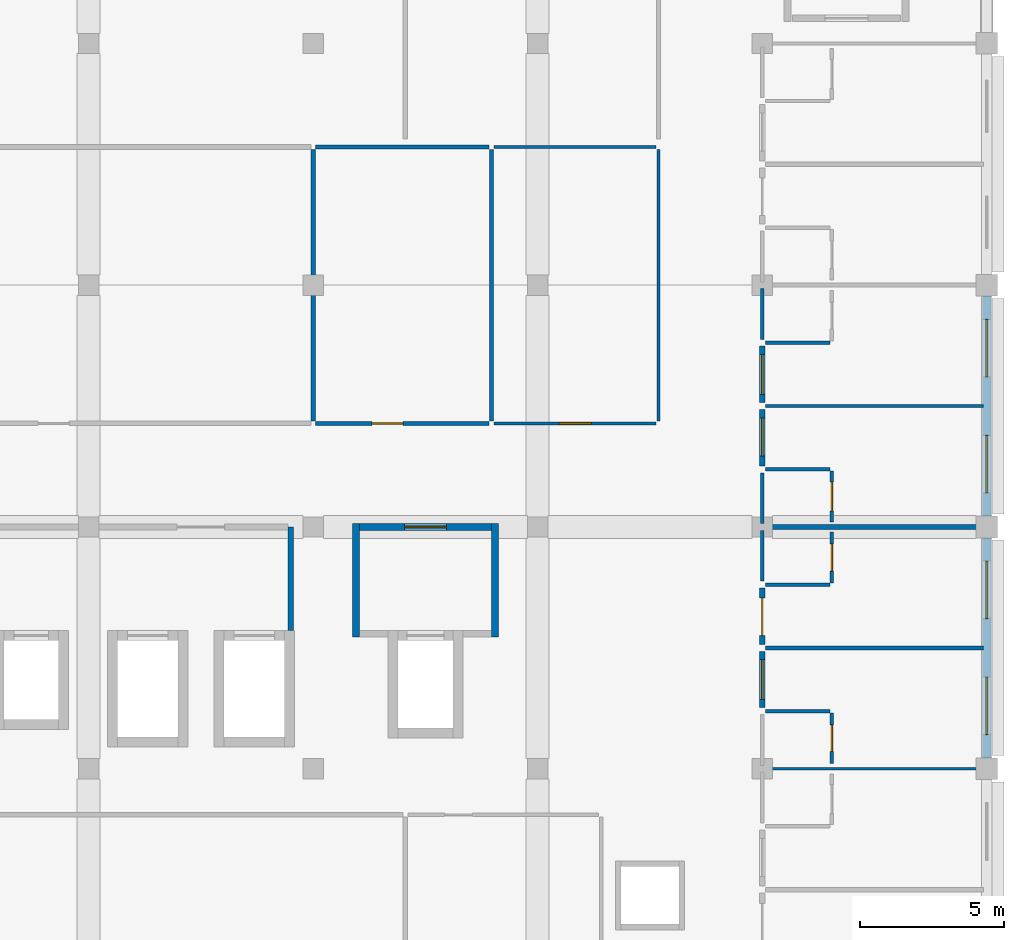
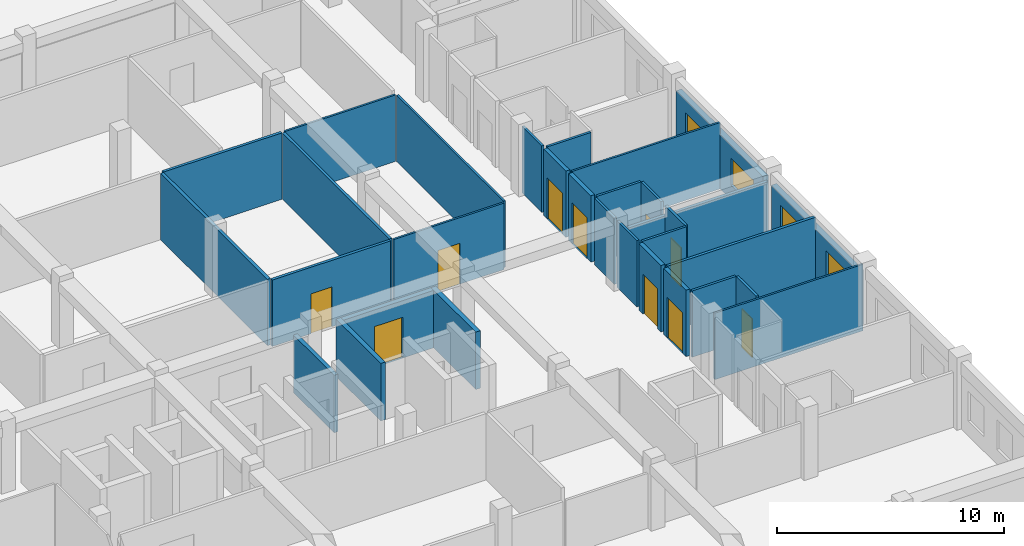
# One storey, part 55 of 72: 31 walls, 10 doors, 4 windows, 14 openings.
"""IFC4 building model written with IfcOpenShell, lengths in metres."""

from ifc_helpers import new_model, si_unit, direction, frame, frame_2d, origin, place, context, subcontext, project, spatial, rectangle, extrude, material, layer, layer_set, type_object, element, fill, save


model = new_model("IFC4")

# Units and contexts
model_context = context("Model", 3, precision=1e-05, world=origin(), true_north=direction((0.0, 1.0)))
body_context = subcontext(model_context, "Body", "Model", "MODEL_VIEW")
ifc_project = project(units=[si_unit("LENGTHUNIT", "METRE"), si_unit("AREAUNIT", "SQUARE_METRE"), si_unit("VOLUMEUNIT", "CUBIC_METRE"), si_unit("PLANEANGLEUNIT", "RADIAN"), si_unit("MASSUNIT", "GRAM", prefix="KILO"), si_unit("THERMODYNAMICTEMPERATUREUNIT", "KELVIN"), si_unit("POWERUNIT", "WATT")], contexts=[model_context])

# Site, building, storey
site_placement = place(None, origin())
site = spatial("IfcSite", under=ifc_project, at=site_placement, CompositionType="ELEMENT")
building_placement = place(site_placement, origin())
building = spatial("IfcBuilding", under=site, at=building_placement, Name="Srebrne Nadtorze General Hospital", CompositionType="ELEMENT")
storey_placement = place(building_placement, frame((0.0, 0.0, 22.199951171875)))
storey = spatial("IfcBuildingStorey", under=building, at=storey_placement, Name="L05", CompositionType="ELEMENT", Elevation=22.199951171875)

# Wall
ifc_material_1 = material(Name="Gypsum Healthcare Partition")
ifc_layer_1 = layer(ifc_material_1, 0.139892578125)
ifc_layer_set_1 = layer_set([ifc_layer_1], Name="Gypsum Healthcare Partition")
wall_type_1 = type_object("IfcWallType", Name="Clinical partition 140", PredefinedType="PARTITIONING", material=ifc_layer_set_1)
wall_1_placement = place(storey_placement, frame((140.52001953125, 46.199951171875, 0.0), z_axis=(0.0, 0.0, 1.0), x_axis=(1.0, 0.0, 0.0)))
element("IfcWall", 1, at=wall_1_placement, inside=storey, type_object=wall_type_1, Name="Ward inter-room partition WL-INT-L05-2065", PredefinedType="PARTITIONING", context=body_context, shape_type="SweptSolid", body=[
    extrude(rectangle(XDim=7.56005859375, YDim=0.139892578125, at=frame_2d((3.780029296875, 0.0))), origin(), (0.0, 0.0, 1.0), 3.580078125),
])

# Wall, opening, door
wall_2_placement = place(storey_placement, frame((124.885009765625, 54.0, 0.0), z_axis=(0.0, 0.0, 1.0), x_axis=(1.0, 0.0, 0.0)))
wall_2 = element("IfcWall", 2, at=wall_2_placement, inside=storey, type_object=wall_type_1, Name="Clean Utility wall WL-INT-L05-2131", PredefinedType="PARTITIONING", context=body_context, shape_type="SweptSolid", body=[
    extrude(rectangle(XDim=6.030029296875, YDim=0.139892578125, at=frame_2d((3.01513671875, 0.0))), origin(), (0.0, 0.0, 1.0), 3.580078125),
])
opening_1_placement = place(wall_2_placement, frame((1.96142578125, 0.0, 0.0)))
opening_1 = element("IfcOpeningElement", 3, at=opening_1_placement, cuts=wall_2, Name="Opening D-L05-0454", PredefinedType="OPENING", context=body_context, shape_type="SweptSolid", body=[
    extrude(rectangle(XDim=1.080078125, YDim=2.14990234375, at=frame_2d((0.5400390625, 1.074951171875))), frame((0.0, 0.08203125, 0.0), z_axis=(0.0, -1.0, 0.0), x_axis=(1.0, 0.0, 0.0)), (0.0, 0.0, 1.0), 0.163818359375),
])
ifc_material_2 = material(Name="Anodised Aluminium", Category="aluminium")
door_type_1 = type_object("IfcDoorType", Name="Single leaf door 1080x2150", OperationType="NOTDEFINED", PredefinedType="DOOR", material=ifc_material_2)
door_1_placement = place(opening_1_placement, origin())
door_1 = element("IfcDoor", 4, at=door_1_placement, inside=storey, type_object=door_type_1, Name="Clean Utility door D-L05-0454", OperationType="SINGLE_SWING_LEFT", OverallHeight=2.14990234375, OverallWidth=1.080078125, PredefinedType="DOOR", context=body_context, shape_type="SweptSolid", body=[
    extrude(rectangle(XDim=1.080078125, YDim=2.14990234375, at=frame_2d((0.5400390625, 1.074951171875))), frame((0.0, 0.02490234375, 0.0), z_axis=(0.0, -1.0, 0.0), x_axis=(1.0, 0.0, 0.0)), (0.0, 0.0, 1.0), 0.050048828125),
])
fill(opening_1, door_1)

# Walls
wall_3_placement = place(storey_placement, frame((124.885009765625, 63.60009765625, 0.0), z_axis=(0.0, 0.0, 1.0), x_axis=(1.0, 0.0, 0.0)))
element("IfcWall", 5, at=wall_3_placement, inside=storey, type_object=wall_type_1, Name="Clean Utility wall WL-INT-L05-2132", PredefinedType="PARTITIONING", context=body_context, shape_type="SweptSolid", body=[
    extrude(rectangle(XDim=6.030029296875, YDim=0.139892578125, at=frame_2d((3.01513671875, 0.0))), origin(), (0.0, 0.0, 1.0), 3.580078125),
])
wall_4_placement = place(storey_placement, frame((131.0, 54.0849609375, 0.0), z_axis=(0.0, 0.0, 1.0), x_axis=(0.0, 1.0, 0.0)))
element("IfcWall", 6, at=wall_4_placement, inside=storey, type_object=wall_type_1, Name="Clean Utility wall WL-INT-L05-2133", PredefinedType="PARTITIONING", context=body_context, shape_type="SweptSolid", body=[
    extrude(rectangle(XDim=9.429931640625, YDim=0.139892578125, at=frame_2d((4.71484375, 0.0))), origin(), (0.0, 0.0, 1.0), 3.580078125),
])
ifc_material_3 = material(Name="Gypsum Healthcare Partition")
ifc_layer_2 = layer(ifc_material_3, 0.159912109375)
ifc_layer_set_2 = layer_set([ifc_layer_2], Name="Gypsum Healthcare Partition")
wall_type_2 = type_object("IfcWallType", Name="Clinical partition 160", PredefinedType="PARTITIONING", material=ifc_layer_set_2)
wall_5_placement = place(storey_placement, frame((140.52001953125, 50.39990234375, 0.0), z_axis=(0.0, 0.0, 1.0), x_axis=(1.0, 0.0, 0.0)))
element("IfcWall", 7, at=wall_5_placement, inside=storey, type_object=wall_type_2, Name="Ward inter-room partition WL-INT-L05-2070", PredefinedType="PARTITIONING", context=body_context, shape_type="SweptSolid", body=[
    extrude(rectangle(XDim=7.56005859375, YDim=0.159912109375, at=frame_2d((3.780029296875, 0.0))), origin(), (0.0, 0.0, 1.0), 2.949951171875),
])
wall_6_placement = place(storey_placement, frame((124.800048828125, 54.0849609375, 0.0), z_axis=(0.0, 0.0, 1.0), x_axis=(0.0, 1.0, 0.0)))
element("IfcWall", 8, at=wall_6_placement, inside=storey, type_object=wall_type_2, Name="Nursing Station wall WL-INT-L05-2130", PredefinedType="PARTITIONING", context=body_context, shape_type="SweptSolid", body=[
    extrude(rectangle(XDim=9.429931640625, YDim=0.159912109375, at=frame_2d((4.71484375, 0.0))), origin(), (0.0, 0.0, 1.0), 3.580078125),
])
ifc_material_4 = material(Name="Gypsum Healthcare Partition")
ifc_layer_3 = layer(ifc_material_4, 0.199951171875)
ifc_layer_set_3 = layer_set([ifc_layer_3], Name="Gypsum Healthcare Partition")
wall_type_3 = type_object("IfcWallType", Name="Compartment wall 200", PredefinedType="STANDARD", material=ifc_layer_set_3)
wall_7_placement = place(storey_placement, frame((124.02001953125, 46.81005859375, 0.0), z_axis=(0.0, 0.0, 1.0), x_axis=(0.0, 1.0, 0.0)))
element("IfcWall", 9, at=wall_7_placement, inside=storey, type_object=wall_type_3, Name="Lift lobby side wall WL-INT-L05-1107", PredefinedType="STANDARD", context=body_context, shape_type="SweptSolid", body=[
    extrude(rectangle(XDim=3.58984375, YDim=0.199951171875, at=frame_2d((1.794921875, 0.0))), origin(), (0.0, 0.0, 1.0), 3.10009765625),
])

# Wall, opening, door
wall_8_placement = place(storey_placement, frame((140.39990234375, 44.1201171875, 0.0), z_axis=(0.0, 0.0, 1.0), x_axis=(0.0, 1.0, 0.0)))
wall_8 = element("IfcWall", 10, at=wall_8_placement, inside=storey, type_object=wall_type_3, Name="Ward corridor wall WL-INT-L05-2066", PredefinedType="STANDARD", context=body_context, shape_type="SweptSolid", body=[
    extrude(rectangle(XDim=1.9599609375, YDim=0.199951171875, at=frame_2d((0.97998046875, 0.0))), origin(), (0.0, 0.0, 1.0), 3.580078125),
])
opening_2_placement = place(wall_8_placement, frame((0.2900390625, 0.0, 0.0)))
opening_2 = element("IfcOpeningElement", 11, at=opening_2_placement, cuts=wall_8, Name="Opening D-L05-0430", PredefinedType="OPENING", context=body_context, shape_type="SweptSolid", body=[
    extrude(rectangle(XDim=1.3798828125, YDim=2.199951171875, at=frame_2d((0.68994140625, 1.10009765625))), frame((0.0, 0.11181640625, 0.0), z_axis=(0.0, -1.0, 0.0), x_axis=(1.0, 0.0, 0.0)), (0.0, 0.0, 1.0), 0.223876953125),
])
ifc_material_5 = material(Name="Anodised Aluminium", Category="aluminium")
door_type_2 = type_object("IfcDoorType", Name="Single leaf door 1380x2200", OperationType="NOTDEFINED", PredefinedType="DOOR", material=ifc_material_5)
door_2_placement = place(opening_2_placement, frame((1.3798828125, 0.0, 0.0), z_axis=(0.0, 0.0, 1.0), x_axis=(-1.0, 0.0, 0.0)))
door_2 = element("IfcDoor", 12, at=door_2_placement, inside=storey, type_object=door_type_2, Name="Ward patient room door D-L05-0430", OperationType="SINGLE_SWING_LEFT", OverallHeight=2.199951171875, OverallWidth=1.3798828125, PredefinedType="DOOR", context=body_context, shape_type="SweptSolid", body=[
    extrude(rectangle(XDim=1.3798828125, YDim=2.199951171875, at=frame_2d((0.68994140625, 1.10009765625))), frame((0.0, 0.02490234375, 0.0), z_axis=(0.0, -1.0, 0.0), x_axis=(1.0, 0.0, 0.0)), (0.0, 0.0, 1.0), 0.050048828125),
])
fill(opening_2, door_2)

wall_9_placement = place(storey_placement, frame((140.39990234375, 46.320068359375, 0.0), z_axis=(0.0, 0.0, 1.0), x_axis=(0.0, 1.0, 0.0)))
wall_9 = element("IfcWall", 13, at=wall_9_placement, inside=storey, type_object=wall_type_3, Name="Ward corridor wall WL-INT-L05-2071", PredefinedType="STANDARD", context=body_context, shape_type="SweptSolid", body=[
    extrude(rectangle(XDim=1.9599609375, YDim=0.199951171875, at=frame_2d((0.97998046875, 0.0))), origin(), (0.0, 0.0, 1.0), 3.580078125),
])
opening_3_placement = place(wall_9_placement, frame((0.304931640625, 0.0, 0.0)))
opening_3 = element("IfcOpeningElement", 14, at=opening_3_placement, cuts=wall_9, Name="Opening D-L05-0432", PredefinedType="OPENING", context=body_context, shape_type="SweptSolid", body=[
    extrude(rectangle(XDim=1.300048828125, YDim=2.14990234375, at=frame_2d((0.64990234375, 1.074951171875))), frame((0.0, 0.11181640625, 0.0), z_axis=(0.0, -1.0, 0.0), x_axis=(1.0, 0.0, 0.0)), (0.0, 0.0, 1.0), 0.223876953125),
])
ifc_material_6 = material(Name="Anodised Aluminium", Category="aluminium")
door_type_3 = type_object("IfcDoorType", Name="Single leaf door 1300x2150", OperationType="NOTDEFINED", PredefinedType="DOOR", material=ifc_material_6)
door_3_placement = place(opening_3_placement, frame((1.300048828125, 0.0, 0.0), z_axis=(0.0, 0.0, 1.0), x_axis=(-1.0, 0.0, 0.0)))
door_3 = element("IfcDoor", 15, at=door_3_placement, inside=storey, type_object=door_type_3, Name="Ward patient room door D-L05-0432", OperationType="SINGLE_SWING_RIGHT", OverallHeight=2.14990234375, OverallWidth=1.300048828125, PredefinedType="DOOR", context=body_context, shape_type="SweptSolid", body=[
    extrude(rectangle(XDim=1.300048828125, YDim=2.14990234375, at=frame_2d((0.64990234375, 1.074951171875))), frame((0.0, 0.02490234375, 0.0), z_axis=(0.0, -1.0, 0.0), x_axis=(1.0, 0.0, 0.0)), (0.0, 0.0, 1.0), 0.050048828125),
])
fill(opening_3, door_3)

wall_10_placement = place(storey_placement, frame((140.39990234375, 52.52001953125, 0.0), z_axis=(0.0, 0.0, 1.0), x_axis=(0.0, 1.0, 0.0)))
wall_10 = element("IfcWall", 16, at=wall_10_placement, inside=storey, type_object=wall_type_3, Name="Ward corridor wall WL-INT-L05-2076", PredefinedType="STANDARD", context=body_context, shape_type="SweptSolid", body=[
    extrude(rectangle(XDim=1.9599609375, YDim=0.199951171875, at=frame_2d((0.97998046875, 0.0))), origin(), (0.0, 0.0, 1.0), 3.580078125),
])
opening_4_placement = place(wall_10_placement, frame((0.340087890625, 0.0, 0.0)))
opening_4 = element("IfcOpeningElement", 17, at=opening_4_placement, cuts=wall_10, Name="Opening D-L05-0434", PredefinedType="OPENING", context=body_context, shape_type="SweptSolid", body=[
    extrude(rectangle(XDim=1.320068359375, YDim=2.199951171875, at=frame_2d((0.66015625, 1.10009765625))), frame((0.0, 0.11181640625, 0.0), z_axis=(0.0, -1.0, 0.0), x_axis=(1.0, 0.0, 0.0)), (0.0, 0.0, 1.0), 0.223876953125),
])
ifc_material_7 = material(Name="Anodised Aluminium", Category="aluminium")
door_type_4 = type_object("IfcDoorType", Name="Single leaf door 1320x2200", OperationType="NOTDEFINED", PredefinedType="DOOR", material=ifc_material_7)
door_4_placement = place(opening_4_placement, frame((1.320068359375, 0.0, 0.0), z_axis=(0.0, 0.0, 1.0), x_axis=(-1.0, 0.0, 0.0)))
door_4 = element("IfcDoor", 18, at=door_4_placement, inside=storey, type_object=door_type_4, Name="Ward patient room door D-L05-0434", OperationType="SINGLE_SWING_RIGHT", OverallHeight=2.199951171875, OverallWidth=1.320068359375, PredefinedType="DOOR", context=body_context, shape_type="SweptSolid", body=[
    extrude(rectangle(XDim=1.320068359375, YDim=2.199951171875, at=frame_2d((0.66015625, 1.10009765625))), frame((0.0, 0.02490234375, 0.0), z_axis=(0.0, -1.0, 0.0), x_axis=(1.0, 0.0, 0.0)), (0.0, 0.0, 1.0), 0.050048828125),
])
fill(opening_4, door_4)

wall_11_placement = place(storey_placement, frame((140.39990234375, 54.719970703125, 0.0), z_axis=(0.0, 0.0, 1.0), x_axis=(0.0, 1.0, 0.0)))
wall_11 = element("IfcWall", 19, at=wall_11_placement, inside=storey, type_object=wall_type_3, Name="Ward corridor wall WL-INT-L05-2081", PredefinedType="STANDARD", context=body_context, shape_type="SweptSolid", body=[
    extrude(rectangle(XDim=1.9599609375, YDim=0.199951171875, at=frame_2d((0.97998046875, 0.0))), origin(), (0.0, 0.0, 1.0), 3.580078125),
])
opening_5_placement = place(wall_11_placement, frame((0.2900390625, 0.0, 0.0)))
opening_5 = element("IfcOpeningElement", 20, at=opening_5_placement, cuts=wall_11, Name="Opening D-L05-0436", PredefinedType="OPENING", context=body_context, shape_type="SweptSolid", body=[
    extrude(rectangle(XDim=1.3798828125, YDim=2.199951171875, at=frame_2d((0.68994140625, 1.10009765625))), frame((0.0, 0.11181640625, 0.0), z_axis=(0.0, -1.0, 0.0), x_axis=(1.0, 0.0, 0.0)), (0.0, 0.0, 1.0), 0.223876953125),
])
door_5_placement = place(opening_5_placement, frame((1.3798828125, 0.0, 0.0), z_axis=(0.0, 0.0, 1.0), x_axis=(-1.0, 0.0, 0.0)))
door_5 = element("IfcDoor", 21, at=door_5_placement, inside=storey, type_object=door_type_2, Name="Ward patient room door D-L05-0436", OperationType="SINGLE_SWING_LEFT", OverallHeight=2.199951171875, OverallWidth=1.3798828125, PredefinedType="DOOR", context=body_context, shape_type="SweptSolid", body=[
    extrude(rectangle(XDim=1.3798828125, YDim=2.199951171875, at=frame_2d((0.68994140625, 1.10009765625))), frame((0.0, 0.02490234375, 0.0), z_axis=(0.0, -1.0, 0.0), x_axis=(1.0, 0.0, 0.0)), (0.0, 0.0, 1.0), 0.050048828125),
])
fill(opening_5, door_5)

# Walls
ifc_material_8 = material(Name="Gypsum Healthcare Partition")
ifc_layer_4 = layer(ifc_material_8, 0.239990234375)
ifc_layer_set_4 = layer_set([ifc_layer_4], Name="Gypsum Healthcare Partition")
wall_type_4 = type_object("IfcWallType", Name="Corridor fire wall 240", PredefinedType="STANDARD", material=ifc_layer_set_4)
for number, where, z_axis, x_axis, name in (
    (22, (126.280029296875, 46.570068359375, 0.0), (0.0, 0.0, 1.0), (0.0, 1.0, 0.0), "FF lift lobby wall WL-INT-L05-1101"),
    (23, (131.1201171875, 46.570068359375, 0.0), (0.0, 0.0, 1.0), (0.0, 1.0, 0.0), "FF lift lobby wall WL-INT-L05-1102"),
):
    element("IfcWall", number, at=place(storey_placement, frame(where, z_axis=z_axis, x_axis=x_axis)), inside=storey, type_object=wall_type_4, Name=name, PredefinedType="STANDARD", context=body_context, shape_type="SweptSolid", body=[
        extrude(rectangle(XDim=3.949951171875, YDim=0.239990234375, at=frame_2d((1.97509765625, 0.0))), origin(), (0.0, 0.0, 1.0), 3.10009765625),
    ])

# Wall, opening, door
wall_12_placement = place(storey_placement, frame((126.39990234375, 50.39990234375, 0.0), z_axis=(0.0, 0.0, 1.0), x_axis=(1.0, 0.0, 0.0)))
wall_12 = element("IfcWall", 24, at=wall_12_placement, inside=storey, type_object=wall_type_4, Name="FF lift lobby front wall WL-INT-L05-1105", PredefinedType="STANDARD", context=body_context, shape_type="SweptSolid", body=[
    extrude(rectangle(XDim=4.60009765625, YDim=0.239990234375, at=frame_2d((2.300048828125, 0.0))), origin(), (0.0, 0.0, 1.0), 3.10009765625),
])
opening_6_placement = place(wall_12_placement, frame((1.574951171875, 0.0, 0.0)))
opening_6 = element("IfcOpeningElement", 25, at=opening_6_placement, cuts=wall_12, Name="Opening D-L05-0150", PredefinedType="OPENING", context=body_context, shape_type="SweptSolid", body=[
    extrude(rectangle(XDim=1.449951171875, YDim=2.199951171875, at=frame_2d((0.72509765625, 1.10009765625))), frame((0.0, 0.1318359375, 0.0), z_axis=(0.0, -1.0, 0.0), x_axis=(1.0, 0.0, 0.0)), (0.0, 0.0, 1.0), 0.263916015625),
])
ifc_material_9 = material(Name="Anodised Aluminium", Category="aluminium")
door_type_5 = type_object("IfcDoorType", Name="Double leaf door 1450x2200", OperationType="DOUBLE_DOOR_SINGLE_SWING", PredefinedType="DOOR", material=ifc_material_9)
door_6_placement = place(opening_6_placement, origin())
door_6 = element("IfcDoor", 26, at=door_6_placement, inside=storey, type_object=door_type_5, Name="Firefighting lift lobby door D-L05-0150", OperationType="DOUBLE_DOOR_SINGLE_SWING", OverallHeight=2.199951171875, OverallWidth=1.449951171875, PredefinedType="DOOR", context=body_context, shape_type="SweptSolid", body=[
    extrude(rectangle(XDim=1.449951171875, YDim=2.199951171875, at=frame_2d((0.72509765625, 1.10009765625))), frame((0.0, 0.02490234375, 0.0), z_axis=(0.0, -1.0, 0.0), x_axis=(1.0, 0.0, 0.0)), (0.0, 0.0, 1.0), 0.050048828125),
])
fill(opening_6, door_6)

# Wall
ifc_material_10 = material(Name="Gypsum Healthcare Partition")
ifc_layer_5 = layer(ifc_material_10, 0.1201171875)
ifc_layer_set_5 = layer_set([ifc_layer_5], Name="Gypsum Healthcare Partition")
wall_type_5 = type_object("IfcWallType", Name="En-suite partition 120", PredefinedType="PARTITIONING", material=ifc_layer_set_5)
wall_13_placement = place(storey_placement, frame((140.52001953125, 44.0, 0.0), z_axis=(0.0, 0.0, 1.0), x_axis=(1.0, 0.0, 0.0)))
element("IfcWall", 27, at=wall_13_placement, inside=storey, type_object=wall_type_5, Name="En-suite wet wall WL-INT-L05-2068", PredefinedType="PARTITIONING", context=body_context, shape_type="SweptSolid", body=[
    extrude(rectangle(XDim=2.239990234375, YDim=0.1201171875, at=frame_2d((1.1201171875, 0.0))), origin(), (0.0, 0.0, 1.0), 3.580078125),
])

# Wall, opening, door
wall_14_placement = place(storey_placement, frame((142.820068359375, 42.179931640625, 0.0), z_axis=(0.0, 0.0, 1.0), x_axis=(0.0, 1.0, 0.0)))
wall_14 = element("IfcWall", 28, at=wall_14_placement, inside=storey, type_object=wall_type_5, Name="En-suite wet wall WL-INT-L05-2069", PredefinedType="PARTITIONING", context=body_context, shape_type="SweptSolid", body=[
    extrude(rectangle(XDim=1.760009765625, YDim=0.1201171875, at=frame_2d((0.8798828125, 0.0))), origin(), (0.0, 0.0, 1.0), 3.580078125),
])
opening_7_placement = place(wall_14_placement, frame((0.419921875, 0.0, 0.0)))
opening_7 = element("IfcOpeningElement", 29, at=opening_7_placement, cuts=wall_14, Name="Opening D-L05-0431", PredefinedType="OPENING", context=body_context, shape_type="SweptSolid", body=[
    extrude(rectangle(XDim=0.919921875, YDim=2.080078125, at=frame_2d((0.4599609375, 1.0400390625))), frame((0.0, 0.072021484375, 0.0), z_axis=(0.0, -1.0, 0.0), x_axis=(1.0, 0.0, 0.0)), (0.0, 0.0, 1.0), 0.14404296875),
])
ifc_material_11 = material(Name="Anodised Aluminium", Category="aluminium")
door_type_6 = type_object("IfcDoorType", Name="Single leaf door 920x2080", OperationType="NOTDEFINED", PredefinedType="DOOR", material=ifc_material_11)
door_7_placement = place(opening_7_placement, origin())
door_7 = element("IfcDoor", 30, at=door_7_placement, inside=storey, type_object=door_type_6, Name="En-suite bathroom door D-L05-0431", OperationType="SINGLE_SWING_LEFT", OverallHeight=2.080078125, OverallWidth=0.919921875, PredefinedType="DOOR", context=body_context, shape_type="SweptSolid", body=[
    extrude(rectangle(XDim=0.919921875, YDim=2.080078125, at=frame_2d((0.4599609375, 1.0400390625))), frame((0.0, 0.02490234375, 0.0), z_axis=(0.0, -1.0, 0.0), x_axis=(1.0, 0.0, 0.0)), (0.0, 0.0, 1.0), 0.050048828125),
])
fill(opening_7, door_7)

# Walls
wall_15_placement = place(storey_placement, frame((140.39990234375, 48.52001953125, 0.0), z_axis=(0.0, 0.0, 1.0), x_axis=(0.0, 1.0, 0.0)))
element("IfcWall", 31, at=wall_15_placement, inside=storey, type_object=wall_type_5, Name="En-suite corridor wall WL-INT-L05-2072", PredefinedType="PARTITIONING", context=body_context, shape_type="SweptSolid", body=[
    extrude(rectangle(XDim=1.760009765625, YDim=0.1201171875, at=frame_2d((0.8798828125, 0.0))), origin(), (0.0, 0.0, 1.0), 3.580078125),
])
wall_16_placement = place(storey_placement, frame((140.52001953125, 48.39990234375, 0.0), z_axis=(0.0, 0.0, 1.0), x_axis=(1.0, 0.0, 0.0)))
element("IfcWall", 32, at=wall_16_placement, inside=storey, type_object=wall_type_5, Name="En-suite wet wall WL-INT-L05-2073", PredefinedType="PARTITIONING", context=body_context, shape_type="SweptSolid", body=[
    extrude(rectangle(XDim=2.239990234375, YDim=0.1201171875, at=frame_2d((1.1201171875, 0.0))), origin(), (0.0, 0.0, 1.0), 3.580078125),
])

# Wall, opening, door
wall_17_placement = place(storey_placement, frame((142.820068359375, 48.4599609375, 0.0), z_axis=(0.0, 0.0, 1.0), x_axis=(0.0, 1.0, 0.0)))
wall_17 = element("IfcWall", 33, at=wall_17_placement, inside=storey, type_object=wall_type_5, Name="En-suite wet wall WL-INT-L05-2074", PredefinedType="PARTITIONING", context=body_context, shape_type="SweptSolid", body=[
    extrude(rectangle(XDim=1.760009765625, YDim=0.1201171875, at=frame_2d((0.8798828125, 0.0))), origin(), (0.0, 0.0, 1.0), 3.580078125),
])
opening_8_placement = place(wall_17_placement, frame((0.405029296875, 0.0, 0.0)))
opening_8 = element("IfcOpeningElement", 34, at=opening_8_placement, cuts=wall_17, Name="Opening D-L05-0433", PredefinedType="OPENING", context=body_context, shape_type="SweptSolid", body=[
    extrude(rectangle(XDim=0.949951171875, YDim=2.10009765625, at=frame_2d((0.47509765625, 1.050048828125))), frame((0.0, 0.072021484375, 0.0), z_axis=(0.0, -1.0, 0.0), x_axis=(1.0, 0.0, 0.0)), (0.0, 0.0, 1.0), 0.14404296875),
])
ifc_material_12 = material(Name="Anodised Aluminium", Category="aluminium")
door_type_7 = type_object("IfcDoorType", Name="Single leaf door 950x2100", OperationType="NOTDEFINED", PredefinedType="DOOR", material=ifc_material_12)
door_8_placement = place(opening_8_placement, origin())
door_8 = element("IfcDoor", 35, at=door_8_placement, inside=storey, type_object=door_type_7, Name="En-suite bathroom door D-L05-0433", OperationType="SINGLE_SWING_LEFT", OverallHeight=2.10009765625, OverallWidth=0.949951171875, PredefinedType="DOOR", context=body_context, shape_type="SweptSolid", body=[
    extrude(rectangle(XDim=0.949951171875, YDim=2.10009765625, at=frame_2d((0.47509765625, 1.050048828125))), frame((0.0, 0.02490234375, 0.0), z_axis=(0.0, -1.0, 0.0), x_axis=(1.0, 0.0, 0.0)), (0.0, 0.0, 1.0), 0.050048828125),
])
fill(opening_8, door_8)

# Walls
wall_18_placement = place(storey_placement, frame((140.39990234375, 50.52001953125, 0.0), z_axis=(0.0, 0.0, 1.0), x_axis=(0.0, 1.0, 0.0)))
element("IfcWall", 36, at=wall_18_placement, inside=storey, type_object=wall_type_5, Name="En-suite corridor wall WL-INT-L05-2077", PredefinedType="PARTITIONING", context=body_context, shape_type="SweptSolid", body=[
    extrude(rectangle(XDim=1.760009765625, YDim=0.1201171875, at=frame_2d((0.8798828125, 0.0))), origin(), (0.0, 0.0, 1.0), 3.580078125),
])
wall_19_placement = place(storey_placement, frame((140.52001953125, 52.39990234375, 0.0), z_axis=(0.0, 0.0, 1.0), x_axis=(1.0, 0.0, 0.0)))
element("IfcWall", 37, at=wall_19_placement, inside=storey, type_object=wall_type_5, Name="En-suite wet wall WL-INT-L05-2078", PredefinedType="PARTITIONING", context=body_context, shape_type="SweptSolid", body=[
    extrude(rectangle(XDim=2.239990234375, YDim=0.1201171875, at=frame_2d((1.1201171875, 0.0))), origin(), (0.0, 0.0, 1.0), 3.580078125),
])

# Wall, opening, door
wall_20_placement = place(storey_placement, frame((142.820068359375, 50.580078125, 0.0), z_axis=(0.0, 0.0, 1.0), x_axis=(0.0, 1.0, 0.0)))
wall_20 = element("IfcWall", 38, at=wall_20_placement, inside=storey, type_object=wall_type_5, Name="En-suite wet wall WL-INT-L05-2079", PredefinedType="PARTITIONING", context=body_context, shape_type="SweptSolid", body=[
    extrude(rectangle(XDim=1.760009765625, YDim=0.1201171875, at=frame_2d((0.8798828125, 0.0))), origin(), (0.0, 0.0, 1.0), 3.580078125),
])
opening_9_placement = place(wall_20_placement, frame((0.3798828125, 0.0, 0.0)))
opening_9 = element("IfcOpeningElement", 39, at=opening_9_placement, cuts=wall_20, Name="Opening D-L05-0435", PredefinedType="OPENING", context=body_context, shape_type="SweptSolid", body=[
    extrude(rectangle(XDim=1.0, YDim=2.10009765625, at=frame_2d((0.5, 1.050048828125))), frame((0.0, 0.072021484375, 0.0), z_axis=(0.0, -1.0, 0.0), x_axis=(1.0, 0.0, 0.0)), (0.0, 0.0, 1.0), 0.14404296875),
])
ifc_material_13 = material(Name="Anodised Aluminium", Category="aluminium")
door_type_8 = type_object("IfcDoorType", Name="Single leaf door 1000x2100", OperationType="NOTDEFINED", PredefinedType="DOOR", material=ifc_material_13)
door_9_placement = place(opening_9_placement, origin())
door_9 = element("IfcDoor", 40, at=door_9_placement, inside=storey, type_object=door_type_8, Name="En-suite bathroom door D-L05-0435", OperationType="SINGLE_SWING_LEFT", OverallHeight=2.10009765625, OverallWidth=1.0, PredefinedType="DOOR", context=body_context, shape_type="SweptSolid", body=[
    extrude(rectangle(XDim=1.0, YDim=2.10009765625, at=frame_2d((0.5, 1.050048828125))), frame((0.0, 0.02490234375, 0.0), z_axis=(0.0, -1.0, 0.0), x_axis=(1.0, 0.0, 0.0)), (0.0, 0.0, 1.0), 0.050048828125),
])
fill(opening_9, door_9)

# Walls
wall_21_placement = place(storey_placement, frame((140.39990234375, 56.919921875, 0.0), z_axis=(0.0, 0.0, 1.0), x_axis=(0.0, 1.0, 0.0)))
element("IfcWall", 41, at=wall_21_placement, inside=storey, type_object=wall_type_5, Name="En-suite corridor wall WL-INT-L05-2082", PredefinedType="PARTITIONING", context=body_context, shape_type="SweptSolid", body=[
    extrude(rectangle(XDim=1.760009765625, YDim=0.1201171875, at=frame_2d((0.8798828125, 0.0))), origin(), (0.0, 0.0, 1.0), 3.580078125),
])
wall_22_placement = place(storey_placement, frame((140.52001953125, 56.800048828125, 0.0), z_axis=(0.0, 0.0, 1.0), x_axis=(1.0, 0.0, 0.0)))
element("IfcWall", 42, at=wall_22_placement, inside=storey, type_object=wall_type_5, Name="En-suite wet wall WL-INT-L05-2083", PredefinedType="PARTITIONING", context=body_context, shape_type="SweptSolid", body=[
    extrude(rectangle(XDim=2.239990234375, YDim=0.1201171875, at=frame_2d((1.1201171875, 0.0))), origin(), (0.0, 0.0, 1.0), 3.580078125),
])
ifc_material_14 = material(Name="Gypsum Healthcare Partition")
ifc_layer_6 = layer(ifc_material_14, 0.10009765625)
ifc_layer_set_6 = layer_set([ifc_layer_6], Name="Gypsum Healthcare Partition")
wall_type_6 = type_object("IfcWallType", Name="Shaft lining wall 100", PredefinedType="PARTITIONING", material=ifc_layer_set_6)
for number, where, z_axis, x_axis, name in (
    (43, (140.52001953125, 42.0, 0.0), (0.0, 0.0, 1.0), (1.0, 0.0, 0.0), "Ward inter-room partition WL-INT-L05-2060"),
    (44, (140.52001953125, 54.60009765625, 0.0), (0.0, 0.0, 1.0), (1.0, 0.0, 0.0), "Ward inter-room partition WL-INT-L05-2075"),
):
    element("IfcWall", number, at=place(storey_placement, frame(where, z_axis=z_axis, x_axis=x_axis)), inside=storey, type_object=wall_type_6, Name=name, PredefinedType="PARTITIONING", context=body_context, shape_type="SweptSolid", body=[
        extrude(rectangle(XDim=7.56005859375, YDim=0.10009765625, at=frame_2d((3.780029296875, 0.0))), origin(), (0.0, 0.0, 1.0), 3.580078125),
    ])

# Wall, opening, door
wall_23_placement = place(storey_placement, frame((131.0849609375, 54.0, 0.0), z_axis=(0.0, 0.0, 1.0), x_axis=(1.0, 0.0, 0.0)))
wall_23 = element("IfcWall", 45, at=wall_23_placement, inside=storey, type_object=wall_type_6, Name="Dirty Utility wall WL-INT-L05-2134", PredefinedType="PARTITIONING", context=body_context, shape_type="SweptSolid", body=[
    extrude(rectangle(XDim=5.630126953125, YDim=0.10009765625, at=frame_2d((2.81494140625, 0.0))), origin(), (0.0, 0.0, 1.0), 3.580078125),
])
opening_10_placement = place(wall_23_placement, frame((2.2548828125, 0.0, 0.0)))
opening_10 = element("IfcOpeningElement", 46, at=opening_10_placement, cuts=wall_23, Name="Opening D-L05-0455", PredefinedType="OPENING", context=body_context, shape_type="SweptSolid", body=[
    extrude(rectangle(XDim=1.1201171875, YDim=2.199951171875, at=frame_2d((0.56005859375, 1.10009765625))), frame((0.0, 0.06201171875, 0.0), z_axis=(0.0, -1.0, 0.0), x_axis=(1.0, 0.0, 0.0)), (0.0, 0.0, 1.0), 0.1240234375),
])
ifc_material_15 = material(Name="Anodised Aluminium", Category="aluminium")
door_type_9 = type_object("IfcDoorType", Name="Single leaf door 1120x2200", OperationType="NOTDEFINED", PredefinedType="DOOR", material=ifc_material_15)
door_10_placement = place(opening_10_placement, origin())
door_10 = element("IfcDoor", 47, at=door_10_placement, inside=storey, type_object=door_type_9, Name="Dirty Utility door D-L05-0455", OperationType="SINGLE_SWING_RIGHT", OverallHeight=2.199951171875, OverallWidth=1.1201171875, PredefinedType="DOOR", context=body_context, shape_type="SweptSolid", body=[
    extrude(rectangle(XDim=1.1201171875, YDim=2.199951171875, at=frame_2d((0.56005859375, 1.10009765625))), frame((0.0, 0.02490234375, 0.0), z_axis=(0.0, -1.0, 0.0), x_axis=(1.0, 0.0, 0.0)), (0.0, 0.0, 1.0), 0.050048828125),
])
fill(opening_10, door_10)

# Walls
wall_24_placement = place(storey_placement, frame((131.0849609375, 63.60009765625, 0.0), z_axis=(0.0, 0.0, 1.0), x_axis=(1.0, 0.0, 0.0)))
element("IfcWall", 48, at=wall_24_placement, inside=storey, type_object=wall_type_6, Name="Dirty Utility wall WL-INT-L05-2135", PredefinedType="PARTITIONING", context=body_context, shape_type="SweptSolid", body=[
    extrude(rectangle(XDim=5.630126953125, YDim=0.10009765625, at=frame_2d((2.81494140625, 0.0))), origin(), (0.0, 0.0, 1.0), 3.580078125),
])
wall_25_placement = place(storey_placement, frame((136.800048828125, 54.0849609375, 0.0), z_axis=(0.0, 0.0, 1.0), x_axis=(0.0, 1.0, 0.0)))
element("IfcWall", 49, at=wall_25_placement, inside=storey, type_object=wall_type_6, Name="Dirty Utility wall WL-INT-L05-2136", PredefinedType="PARTITIONING", context=body_context, shape_type="SweptSolid", body=[
    extrude(rectangle(XDim=9.429931640625, YDim=0.10009765625, at=frame_2d((4.71484375, 0.0))), origin(), (0.0, 0.0, 1.0), 3.580078125),
])

# Wall, openings, windows
ifc_material_16 = material(Name="Concrete C35/45 precast", Category="concrete")
ifc_layer_7 = layer(ifc_material_16, 0.280029296875)
ifc_layer_set_7 = layer_set([ifc_layer_7], Name="Concrete C35/45 precast")
wall_type_7 = type_object("IfcWallType", Name="Spandrel wall 280", PredefinedType="STANDARD", material=ifc_layer_set_7)
wall_26_placement = place(storey_placement, frame((148.199951171875, 42.375, 0.0), z_axis=(0.0, 0.0, 1.0), x_axis=(0.0, 1.0, 0.0)))
wall_26 = element("IfcWall", 50, at=wall_26_placement, inside=storey, type_object=wall_type_7, Name="Exterior wall WL-ENV-L05-0454", PredefinedType="STANDARD", context=body_context, shape_type="SweptSolid", body=[
    extrude(rectangle(XDim=7.64990234375, YDim=0.280029296875, at=frame_2d((3.824951171875, 0.0))), origin(), (0.0, 0.0, 1.0), 2.949951171875),
])
opening_11_placement = place(wall_26_placement, frame((0.80908203125, 0.0, 0.800048828125)))
opening_11 = element("IfcOpeningElement", 51, at=opening_11_placement, cuts=wall_26, Name="Opening WN-L05-0743", PredefinedType="OPENING", context=body_context, shape_type="SweptSolid", body=[
    extrude(rectangle(XDim=2.0, YDim=1.550048828125, at=frame_2d((1.0, 0.77490234375))), frame((0.0, 0.15185546875, 0.0), z_axis=(0.0, -1.0, 0.0), x_axis=(1.0, 0.0, 0.0)), (0.0, 0.0, 1.0), 0.303955078125),
])
opening_12_placement = place(wall_26_placement, frame((4.841064453125, 0.0, 0.800048828125)))
opening_12 = element("IfcOpeningElement", 52, at=opening_12_placement, cuts=wall_26, Name="Opening WN-L05-0744", PredefinedType="OPENING", context=body_context, shape_type="SweptSolid", body=[
    extrude(rectangle(XDim=2.0, YDim=1.550048828125, at=frame_2d((1.0, 0.77490234375))), frame((0.0, 0.15185546875, 0.0), z_axis=(0.0, -1.0, 0.0), x_axis=(1.0, 0.0, 0.0)), (0.0, 0.0, 1.0), 0.303955078125),
])
ifc_material_17 = material(Name="Triple Low-E Glazing", Category="glass")
window_type_1 = type_object("IfcWindowType", Name="Punched clinical window 2000x1550", PartitioningType="DOUBLE_PANEL_VERTICAL", PredefinedType="WINDOW", material=ifc_material_17)
window_1_placement = place(opening_11_placement, origin())
window_1 = element("IfcWindow", 53, at=window_1_placement, inside=storey, type_object=window_type_1, Name="Clinical window WN-L05-0743", OverallHeight=1.550048828125, OverallWidth=2.0, PartitioningType="DOUBLE_PANEL_VERTICAL", PredefinedType="WINDOW", context=body_context, shape_type="SweptSolid", body=[
    extrude(rectangle(XDim=2.0, YDim=1.550048828125, at=frame_2d((1.0, 0.77490234375))), frame((0.0, 0.030029296875, 0.0), z_axis=(0.0, -1.0, 0.0), x_axis=(1.0, 0.0, 0.0)), (0.0, 0.0, 1.0), 0.06005859375),
])
fill(opening_11, window_1)
window_2_placement = place(opening_12_placement, origin())
window_2 = element("IfcWindow", 54, at=window_2_placement, inside=storey, type_object=window_type_1, Name="Clinical window WN-L05-0744", OverallHeight=1.550048828125, OverallWidth=2.0, PartitioningType="DOUBLE_PANEL_VERTICAL", PredefinedType="WINDOW", context=body_context, shape_type="SweptSolid", body=[
    extrude(rectangle(XDim=2.0, YDim=1.550048828125, at=frame_2d((1.0, 0.77490234375))), frame((0.0, 0.030029296875, 0.0), z_axis=(0.0, -1.0, 0.0), x_axis=(1.0, 0.0, 0.0)), (0.0, 0.0, 1.0), 0.06005859375),
])
fill(opening_12, window_2)

wall_27_placement = place(storey_placement, frame((148.199951171875, 50.77490234375, 0.0), z_axis=(0.0, 0.0, 1.0), x_axis=(0.0, 1.0, 0.0)))
wall_27 = element("IfcWall", 55, at=wall_27_placement, inside=storey, type_object=wall_type_7, Name="Exterior wall WL-ENV-L05-0455", PredefinedType="STANDARD", context=body_context, shape_type="SweptSolid", body=[
    extrude(rectangle(XDim=7.650146484375, YDim=0.280029296875, at=frame_2d((3.8251953125, 0.0))), origin(), (0.0, 0.0, 1.0), 2.949951171875),
])
opening_13_placement = place(wall_27_placement, frame((0.80908203125, 0.0, 0.800048828125)))
opening_13 = element("IfcOpeningElement", 56, at=opening_13_placement, cuts=wall_27, Name="Opening WN-L05-0745", PredefinedType="OPENING", context=body_context, shape_type="SweptSolid", body=[
    extrude(rectangle(XDim=2.0, YDim=1.449951171875, at=frame_2d((1.0, 0.72509765625))), frame((0.0, 0.15185546875, 0.0), z_axis=(0.0, -1.0, 0.0), x_axis=(1.0, 0.0, 0.0)), (0.0, 0.0, 1.0), 0.303955078125),
])
opening_14_placement = place(wall_27_placement, frame((4.841064453125, 0.0, 0.800048828125)))
opening_14 = element("IfcOpeningElement", 57, at=opening_14_placement, cuts=wall_27, Name="Opening WN-L05-0746", PredefinedType="OPENING", context=body_context, shape_type="SweptSolid", body=[
    extrude(rectangle(XDim=2.0, YDim=1.449951171875, at=frame_2d((1.0, 0.72509765625))), frame((0.0, 0.15185546875, 0.0), z_axis=(0.0, -1.0, 0.0), x_axis=(1.0, 0.0, 0.0)), (0.0, 0.0, 1.0), 0.303955078125),
])
ifc_material_18 = material(Name="Triple Low-E Glazing", Category="glass")
window_type_2 = type_object("IfcWindowType", Name="Punched clinical window 2000x1450", PartitioningType="DOUBLE_PANEL_VERTICAL", PredefinedType="WINDOW", material=ifc_material_18)
window_3_placement = place(opening_13_placement, origin())
window_3 = element("IfcWindow", 58, at=window_3_placement, inside=storey, type_object=window_type_2, Name="Clinical window WN-L05-0745", OverallHeight=1.449951171875, OverallWidth=2.0, PartitioningType="DOUBLE_PANEL_VERTICAL", PredefinedType="WINDOW", context=body_context, shape_type="SweptSolid", body=[
    extrude(rectangle(XDim=2.0, YDim=1.449951171875, at=frame_2d((1.0, 0.72509765625))), frame((0.0, 0.030029296875, 0.0), z_axis=(0.0, -1.0, 0.0), x_axis=(1.0, 0.0, 0.0)), (0.0, 0.0, 1.0), 0.06005859375),
])
fill(opening_13, window_3)
window_4_placement = place(opening_14_placement, origin())
window_4 = element("IfcWindow", 59, at=window_4_placement, inside=storey, type_object=window_type_2, Name="Clinical window WN-L05-0746", OverallHeight=1.449951171875, OverallWidth=2.0, PartitioningType="DOUBLE_PANEL_VERTICAL", PredefinedType="WINDOW", context=body_context, shape_type="SweptSolid", body=[
    extrude(rectangle(XDim=2.0, YDim=1.449951171875, at=frame_2d((1.0, 0.72509765625))), frame((0.0, 0.030029296875, 0.0), z_axis=(0.0, -1.0, 0.0), x_axis=(1.0, 0.0, 0.0)), (0.0, 0.0, 1.0), 0.06005859375),
])
fill(opening_14, window_4)

save(model, "model.ifc")
